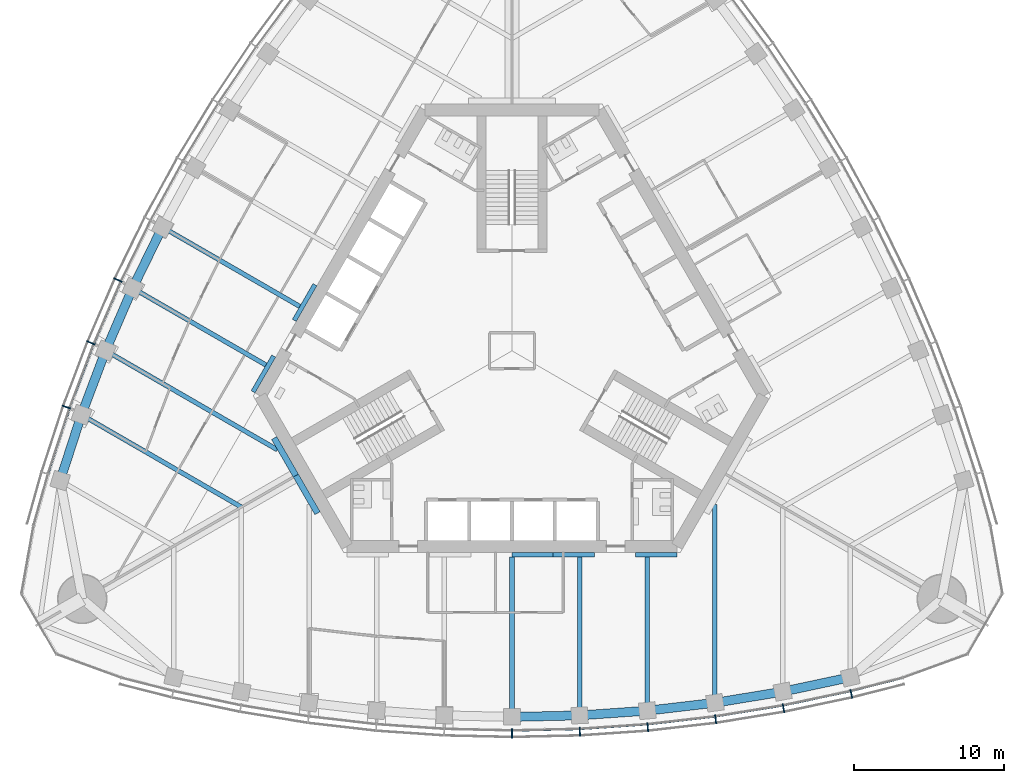
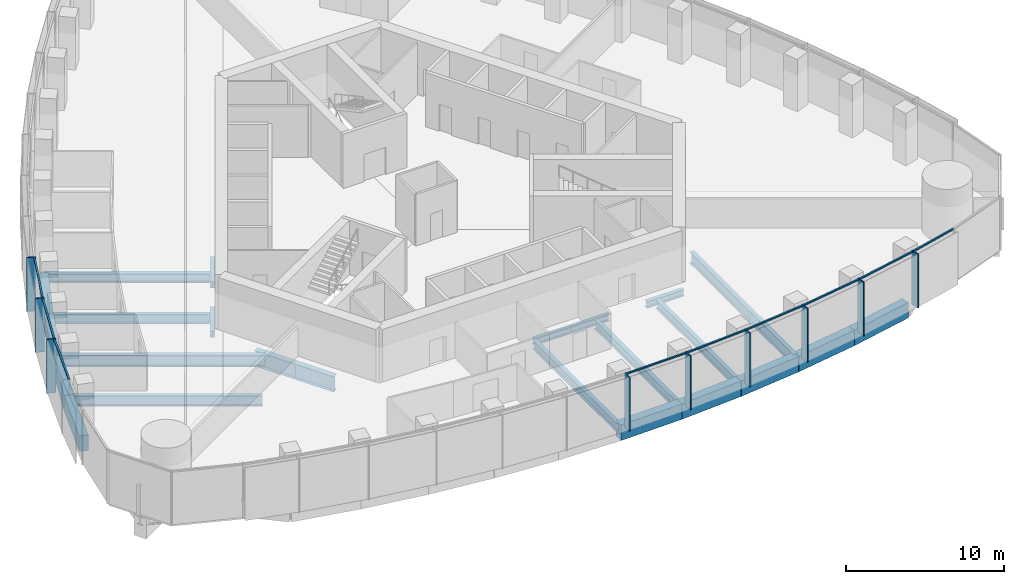
# One storey, part 3 of 19: 24 beams, 18 members, 2 elements without a shape of their own.
"""IFC4 building model written with IfcOpenShell, lengths in metres."""

from ifc_helpers import new_model, si_unit, direction, frame, origin, origin_2d, place, context, subcontext, project, spatial, rectangle, i_section, extrude, material, material_profile, profile_set, type_object, element, aggregate, save


model = new_model("IFC4")

# Units and contexts
model_context = context("Model", 3, precision=1e-05, world=origin(), true_north=direction((0.0, 1.0)))
body_context = subcontext(model_context, "Body", "Model", "MODEL_VIEW")
ifc_project = project(units=[si_unit("LENGTHUNIT", "METRE"), si_unit("AREAUNIT", "SQUARE_METRE"), si_unit("VOLUMEUNIT", "CUBIC_METRE"), si_unit("PLANEANGLEUNIT", "RADIAN"), si_unit("MASSUNIT", "GRAM", prefix="KILO")], contexts=[model_context])

# Site, building, storey
site_placement = place(None, origin())
site = spatial("IfcSite", under=ifc_project, at=site_placement, CompositionType="ELEMENT")
building_placement = place(site_placement, origin())
building = spatial("IfcBuilding", under=site, at=building_placement, Name="Trefoil Bronze Tower", CompositionType="ELEMENT")
storey_placement = place(building_placement, frame((0.0, 0.0, 206.5)))
storey = spatial("IfcBuildingStorey", under=building, at=storey_placement, Name="L47", CompositionType="ELEMENT", Elevation=206.5)

# Curtain wall, members
ifc_material_1 = material(Name="Tinted solar-control glass", Category="glass")
curtain_wall_type = type_object("IfcCurtainWallType", Name="Bronze office curtain wall", PredefinedType="USERDEFINED", material=ifc_material_1)
curtain_wall_1_placement = place(storey_placement, origin())
curtain_wall_1 = element("IfcCurtainWall", 1, at=curtain_wall_1_placement, inside=storey, type_object=curtain_wall_type, Name="CW-A L47 F1", ObjectType="CURTAIN WALL", PredefinedType="USERDEFINED")
ifc_material_2 = material(Name="Bronze-finish aluminium", Category="aluminium")
ifc_material_profile_1 = material_profile(ifc_material_2, rectangle(XDim=0.60009765625, YDim=0.080078125, at=origin_2d()), Name="CW-A mullion")
ifc_profile_set_1 = profile_set([ifc_material_profile_1], Name="Bronze-finish aluminium")
member_type_1 = type_object("IfcMemberType", Name="Bronze office curtain wall mullion", PredefinedType="MULLION", material=ifc_profile_set_1)
member_1_placement = place(storey_placement, frame((0.0, -25.45068359375, 0.0), z_axis=(0.0, 0.0, 1.0), x_axis=(0.0, 1.0, 0.0)))
member_1 = element("IfcMember", 2, at=member_1_placement, type_object=member_type_1, Name="CW-A L47 F1 mullion 7", PredefinedType="MULLION", context=body_context, shape_type="SweptSolid", body=[
    extrude(rectangle(XDim=0.60009765625, YDim=0.080078125, at=origin_2d()), origin(), (0.0, 0.0, 1.0), 4.179931640625),
])
member_2_placement = place(storey_placement, frame((4.513671875, -25.346923828125, 0.0), z_axis=(0.0, 0.0, 1.0), x_axis=(-0.045955542372, 0.998943485952, 0.0)))
member_2 = element("IfcMember", 3, at=member_2_placement, type_object=member_type_1, Name="CW-A L47 F1 mullion 8", PredefinedType="MULLION", context=body_context, shape_type="SweptSolid", body=[
    extrude(rectangle(XDim=0.60009765625, YDim=0.080078125, at=origin_2d()), origin(), (0.0, 0.0, 1.0), 4.179931640625),
])
member_3_placement = place(storey_placement, frame((9.027587890625, -25.03515625, 0.0), z_axis=(0.0, 0.0, 1.0), x_axis=(-0.091911396394, 0.995767189263, 0.0)))
member_3 = element("IfcMember", 4, at=member_3_placement, type_object=member_type_1, Name="CW-A L47 F1 mullion 9", PredefinedType="MULLION", context=body_context, shape_type="SweptSolid", body=[
    extrude(rectangle(XDim=0.60009765625, YDim=0.080078125, at=origin_2d()), origin(), (0.0, 0.0, 1.0), 4.179931640625),
])
member_4_placement = place(storey_placement, frame((13.541259765625, -24.51318359375, 0.0), z_axis=(0.0, 0.0, 1.0), x_axis=(-0.137867887204, 0.990450627582, 0.0)))
member_4 = element("IfcMember", 5, at=member_4_placement, type_object=member_type_1, Name="CW-A L47 F1 mullion 10", PredefinedType="MULLION", context=body_context, shape_type="SweptSolid", body=[
    extrude(rectangle(XDim=0.60009765625, YDim=0.080078125, at=origin_2d()), origin(), (0.0, 0.0, 1.0), 4.179931640625),
])
member_5_placement = place(storey_placement, frame((18.05517578125, -23.77783203125, 0.0), z_axis=(0.0, 0.0, 1.0), x_axis=(-0.183825368167, 0.982958917767, 0.0)))
member_5 = element("IfcMember", 6, at=member_5_placement, type_object=member_type_1, Name="CW-A L47 F1 mullion 11", PredefinedType="MULLION", context=body_context, shape_type="SweptSolid", body=[
    extrude(rectangle(XDim=0.60009765625, YDim=0.080078125, at=origin_2d()), origin(), (0.0, 0.0, 1.0), 4.179931640625),
])
member_6_placement = place(storey_placement, frame((22.568115234375, -22.82421875, 0.0), z_axis=(0.0, 0.0, 1.0), x_axis=(-0.227082662569, 0.973875487093, 0.0)))
member_6 = element("IfcMember", 7, at=member_6_placement, type_object=member_type_1, Name="CW-A L47 F1 mullion 12", PredefinedType="MULLION", context=body_context, shape_type="SweptSolid", body=[
    extrude(rectangle(XDim=0.60009765625, YDim=0.080078125, at=origin_2d()), origin(), (0.0, 0.0, 1.0), 4.179931640625),
])

curtain_wall_2_placement = place(storey_placement, origin())
curtain_wall_2 = element("IfcCurtainWall", 8, at=curtain_wall_2_placement, inside=storey, type_object=curtain_wall_type, Name="CW-A L47 F3", ObjectType="CURTAIN WALL", PredefinedType="USERDEFINED")
member_7_placement = place(storey_placement, frame((-26.19482421875, 4.699462890625, 0.0), z_axis=(0.0, 0.0, 1.0), x_axis=(0.908315380354, -0.418285990457, 0.0)))
member_7 = element("IfcMember", 9, at=member_7_placement, type_object=member_type_1, Name="CW-A L47 F3 mullion 9", PredefinedType="MULLION", context=body_context, shape_type="SweptSolid", body=[
    extrude(rectangle(XDim=0.60009765625, YDim=0.080078125, at=origin_2d()), origin(), (0.0, 0.0, 1.0), 4.179931640625),
])
member_8_placement = place(storey_placement, frame((-27.999755859375, 0.529541015625, 0.0), z_axis=(0.0, 0.0, 1.0), x_axis=(0.926689348282, -0.375828221106, 0.0)))
member_8 = element("IfcMember", 10, at=member_8_placement, type_object=member_type_1, Name="CW-A L47 F3 mullion 10", PredefinedType="MULLION", context=body_context, shape_type="SweptSolid", body=[
    extrude(rectangle(XDim=0.60009765625, YDim=0.080078125, at=origin_2d()), origin(), (0.0, 0.0, 1.0), 4.179931640625),
])
member_9_placement = place(storey_placement, frame((-29.619873046875, -3.747314453125, 0.0), z_axis=(0.0, 0.0, 1.0), x_axis=(0.943180077746, -0.332282020191, 0.0)))
member_9 = element("IfcMember", 11, at=member_9_placement, type_object=member_type_1, Name="CW-A L47 F3 mullion 11", PredefinedType="MULLION", context=body_context, shape_type="SweptSolid", body=[
    extrude(rectangle(XDim=0.60009765625, YDim=0.080078125, at=origin_2d()), origin(), (0.0, 0.0, 1.0), 4.179931640625),
])

# Member
ifc_material_3 = material(Name="Bronze-finish aluminium", Category="aluminium")
ifc_material_profile_2 = material_profile(ifc_material_3, rectangle(XDim=0.1201171875, YDim=0.10009765625, at=origin_2d()), Name="CW-A transom")
ifc_profile_set_2 = profile_set([ifc_material_profile_2], Name="Bronze-finish aluminium")
member_type_2 = type_object("IfcMemberType", Name="Bronze office curtain wall transom", PredefinedType="USERDEFINED", material=ifc_profile_set_2)
member_10_placement = place(storey_placement, frame((0.042236328125, -25.249755859375, 4.1298828125), z_axis=(0.999736131416, 0.022971015226, 0.0), x_axis=(-0.022971015226, 0.999736131416, 0.0)))
member_10 = element("IfcMember", 12, at=member_10_placement, type_object=member_type_2, Name="CW-A L47 F1 transom 7", ObjectType="TRANSOM", PredefinedType="USERDEFINED", context=body_context, shape_type="SweptSolid", body=[
    extrude(rectangle(XDim=0.1201171875, YDim=0.10009765625, at=origin_2d()), origin(), (0.0, 0.0, 1.0), 4.42138671875),
])

member_11_placement = place(storey_placement, frame((4.546875, -25.144287109375, 4.1298828125), z_axis=(0.997621320987, 0.06893257512, 0.0), x_axis=(-0.06893257512, 0.997621320987, 0.0)))
member_11 = element("IfcMember", 13, at=member_11_placement, type_object=member_type_2, Name="CW-A L47 F1 transom 8", ObjectType="TRANSOM", PredefinedType="USERDEFINED", context=body_context, shape_type="SweptSolid", body=[
    extrude(rectangle(XDim=0.1201171875, YDim=0.10009765625, at=origin_2d()), origin(), (0.0, 0.0, 1.0), 4.4306640625),
])

member_12_placement = place(storey_placement, frame((9.05126953125, -24.8310546875, 4.1298828125), z_axis=(0.993384885596, 0.114832352013, 0.0), x_axis=(-0.114832352013, 0.993384885596, 0.0)))
member_12 = element("IfcMember", 14, at=member_12_placement, type_object=member_type_2, Name="CW-A L47 F1 transom 9", ObjectType="TRANSOM", PredefinedType="USERDEFINED", context=body_context, shape_type="SweptSolid", body=[
    extrude(rectangle(XDim=0.1201171875, YDim=0.10009765625, at=origin_2d()), origin(), (0.0, 0.0, 1.0), 4.449951171875),
])

member_13_placement = place(storey_placement, frame((13.5556640625, -24.308349609375, 4.1298828125), z_axis=(0.986988367046, 0.160791676761, 0.0), x_axis=(-0.160791676761, 0.986988367046, 0.0)))
member_13 = element("IfcMember", 15, at=member_13_placement, type_object=member_type_2, Name="CW-A L47 F1 transom 10", ObjectType="TRANSOM", PredefinedType="USERDEFINED", context=body_context, shape_type="SweptSolid", body=[
    extrude(rectangle(XDim=0.1201171875, YDim=0.10009765625, at=origin_2d()), origin(), (0.0, 0.0, 1.0), 4.479248046875),
])

member_14_placement = place(storey_placement, frame((18.059814453125, -23.572509765625, 4.1298828125), z_axis=(0.978395325657, 0.20674280334, 0.0), x_axis=(-0.20674280334, 0.978395325657, 0.0)))
member_14 = element("IfcMember", 16, at=member_14_placement, type_object=member_type_2, Name="CW-A L47 F1 transom 11", ObjectType="TRANSOM", PredefinedType="USERDEFINED", context=body_context, shape_type="SweptSolid", body=[
    extrude(rectangle(XDim=0.1201171875, YDim=0.10009765625, at=origin_2d()), origin(), (0.0, 0.0, 1.0), 4.519287109375),
])

member_15_placement = place(storey_placement, frame((22.5634765625, -22.618896484375, 4.1298828125), z_axis=(0.968935220916, 0.247314653162, 0.0), x_axis=(-0.247314653162, 0.968935220916, 0.0)))
member_15 = element("IfcMember", 17, at=member_15_placement, type_object=member_type_2, Name="CW-A L47 F1 transom 12", ObjectType="TRANSOM", PredefinedType="USERDEFINED", context=body_context, shape_type="SweptSolid", body=[
    extrude(rectangle(XDim=0.1201171875, YDim=0.10009765625, at=origin_2d()), origin(), (0.0, 0.0, 1.0), 3.483642578125),
])

aggregate(curtain_wall_1, [member_1, member_2, member_3, member_4, member_5, member_6, member_10, member_11, member_12, member_13, member_14, member_15])

member_16_placement = place(storey_placement, frame((-26.030029296875, 4.576904296875, 4.1298828125), z_axis=(-0.397220936772, -0.917723012346, 0.0), x_axis=(0.917723012346, -0.397220936772, 0.0)))
member_16 = element("IfcMember", 18, at=member_16_placement, type_object=member_type_2, Name="CW-A L47 F3 transom 9", ObjectType="TRANSOM", PredefinedType="USERDEFINED", context=body_context, shape_type="SweptSolid", body=[
    extrude(rectangle(XDim=0.1201171875, YDim=0.10009765625, at=origin_2d()), origin(), (0.0, 0.0, 1.0), 4.449951171875),
])

member_17_placement = place(storey_placement, frame((-27.829345703125, 0.414794921875, 4.1298828125), z_axis=(-0.354263170896, -0.935145767112, 0.0), x_axis=(0.935145767112, -0.354263170896, 0.0)))
member_17 = element("IfcMember", 19, at=member_17_placement, type_object=member_type_2, Name="CW-A L47 F3 transom 10", ObjectType="TRANSOM", PredefinedType="USERDEFINED", context=body_context, shape_type="SweptSolid", body=[
    extrude(rectangle(XDim=0.1201171875, YDim=0.10009765625, at=origin_2d()), origin(), (0.0, 0.0, 1.0), 4.4794921875),
])

member_18_placement = place(storey_placement, frame((-29.4443359375, -3.85400390625, 4.1298828125), z_axis=(-0.310127806788, -0.950694874004, 0.0), x_axis=(0.950694874004, -0.310127806788, 0.0)))
member_18 = element("IfcMember", 20, at=member_18_placement, type_object=member_type_2, Name="CW-A L47 F3 transom 11", ObjectType="TRANSOM", PredefinedType="USERDEFINED", context=body_context, shape_type="SweptSolid", body=[
    extrude(rectangle(XDim=0.1201171875, YDim=0.10009765625, at=origin_2d()), origin(), (0.0, 0.0, 1.0), 4.51953125),
])

aggregate(curtain_wall_2, [member_7, member_8, member_9, member_16, member_17, member_18])

# Beams
ifc_material_4 = material(Name="Steel C355", Category="steel")
ifc_material_profile_3 = material_profile(ifc_material_4, i_section(OverallWidth=0.300048828125, OverallDepth=0.5, WebThickness=0.014404296875, FlangeThickness=0.028076171875, FilletRadius=0.027099609375, at=origin_2d()), Name="HEB 500")
ifc_profile_set_3 = profile_set([ifc_material_profile_3], Name="Steel C355")
beam_type_1 = type_object("IfcBeamType", Name="Core seat beam HEB 500", PredefinedType="BEAM", material=ifc_profile_set_3)
for number, where, z_axis, x_axis, name in (
    (21, (0.0, -13.550048828125, -0.449951171875), (1.0, 0.0, 0.0), (0.0, 1.0, 0.0), "Core seat beam F1/+0 L47"),
    (22, (2.742431640625, -13.550048828125, -0.449951171875), (1.0, 0.0, 0.0), (0.0, 1.0, 0.0), "Core seat beam F1/+1 L47"),
    (23, (8.227294921875, -13.550048828125, -0.449951171875), (1.0, 0.0, 0.0), (0.0, 1.0, 0.0), "Core seat beam F1/+2 L47"),
    (24, (-13.10595703125, 4.39990234375, -0.449951171875), (-0.499969057507, -0.866043267704, 0.0), (0.866043267704, -0.499969057507, 0.0), "Core seat beam F3/+1 L47"),
    (25, (-15.84814453125, -0.35009765625, -0.449951171875), (-0.500035825175, -0.866004719122, 0.0), (0.866004719122, -0.500035825175, 0.0), "Core seat beam F3/+2 L47"),
):
    element("IfcBeam", number, at=place(storey_placement, frame(where, z_axis=z_axis, x_axis=x_axis)), inside=storey, type_object=beam_type_1, Name=name, PredefinedType="BEAM", context=body_context, shape_type="SweptSolid", body=[
        extrude(i_section(OverallWidth=0.300048828125, OverallDepth=0.5, WebThickness=0.014404296875, FlangeThickness=0.028076171875, FilletRadius=0.027099609375, at=origin_2d()), origin(), (0.0, 0.0, 1.0), 2.742431640625),
    ])
ifc_material_5 = material(Name="Steel C355", Category="steel")
ifc_material_profile_4 = material_profile(ifc_material_5, i_section(OverallWidth=0.39990234375, OverallDepth=1.199951171875, WebThickness=0.02001953125, FlangeThickness=0.0400390625, FilletRadius=0.010009765625, at=origin_2d()), Name="WPG 1200")
ifc_profile_set_4 = profile_set([ifc_material_profile_4], Name="Steel C355")
beam_type_2 = type_object("IfcBeamType", Name="Core seat beam WPG 1200", PredefinedType="BEAM", material=ifc_profile_set_4)
for number, where, z_axis, x_axis, name in (
    (26, (-14.3759765625, -8.300048828125, -0.800048828125), (0.499995765644, -0.866027848477, 0.0), (0.866027848477, 0.499995765644, 0.0), "Core seat beam F1/-3 L47"),
    (27, (-15.8193359375, -5.800048828125, -0.800048828125), (0.499995765644, -0.866027848477, 0.0), (0.866027848477, 0.499995765644, 0.0), "Core seat beam F3/+3 L47"),
):
    element("IfcBeam", number, at=place(storey_placement, frame(where, z_axis=z_axis, x_axis=x_axis)), inside=storey, type_object=beam_type_2, Name=name, PredefinedType="BEAM", context=body_context, shape_type="SweptSolid", body=[
        extrude(i_section(OverallWidth=0.39990234375, OverallDepth=1.199951171875, WebThickness=0.02001953125, FlangeThickness=0.0400390625, FilletRadius=0.010009765625, at=origin_2d()), origin(), (0.0, 0.0, 1.0), 2.88671875),
    ])
ifc_material_6 = material(Name="Steel C355", Category="steel")
ifc_material_profile_5 = material_profile(ifc_material_6, i_section(OverallWidth=0.300048828125, OverallDepth=0.699951171875, WebThickness=0.01708984375, FlangeThickness=0.031982421875, FilletRadius=0.027099609375, at=origin_2d()), Name="HEB 700")
ifc_profile_set_5 = profile_set([ifc_material_profile_5], Name="Steel C355")
beam_type_3 = type_object("IfcBeamType", Name="Floor beam HEB 700", PredefinedType="BEAM", material=ifc_profile_set_5)
beam_1_placement = place(storey_placement, frame((0.0, -24.3505859375, -0.550048828125), z_axis=(0.0, 1.0, 0.0), x_axis=(-1.0, 0.0, 0.0)))
element("IfcBeam", 28, at=beam_1_placement, inside=storey, type_object=beam_type_3, Name="Floor beam F1/+0 L47", PredefinedType="BEAM", context=body_context, shape_type="SweptSolid", body=[
    extrude(i_section(OverallWidth=0.300048828125, OverallDepth=0.699951171875, WebThickness=0.01708984375, FlangeThickness=0.031982421875, FilletRadius=0.027099609375, at=origin_2d()), origin(), (0.0, 0.0, 1.0), 10.650634765625),
])
beam_2_placement = place(storey_placement, frame((4.5, -24.246337890625, -0.550048828125), z_axis=(0.0, 1.0, 0.0), x_axis=(-1.0, 0.0, 0.0)))
element("IfcBeam", 29, at=beam_2_placement, inside=storey, type_object=beam_type_3, Name="Floor beam F1/+1 L47", PredefinedType="BEAM", context=body_context, shape_type="SweptSolid", body=[
    extrude(i_section(OverallWidth=0.300048828125, OverallDepth=0.699951171875, WebThickness=0.01708984375, FlangeThickness=0.031982421875, FilletRadius=0.027099609375, at=origin_2d()), origin(), (0.0, 0.0, 1.0), 10.54638671875),
])
beam_3_placement = place(storey_placement, frame((9.0, -23.932861328125, -0.550048828125), z_axis=(0.0, 1.0, 0.0), x_axis=(-1.0, 0.0, 0.0)))
element("IfcBeam", 30, at=beam_3_placement, inside=storey, type_object=beam_type_3, Name="Floor beam F1/+2 L47", PredefinedType="BEAM", context=body_context, shape_type="SweptSolid", body=[
    extrude(i_section(OverallWidth=0.300048828125, OverallDepth=0.699951171875, WebThickness=0.01708984375, FlangeThickness=0.031982421875, FilletRadius=0.027099609375, at=origin_2d()), origin(), (0.0, 0.0, 1.0), 10.23291015625),
])
beam_4_placement = place(storey_placement, frame((-23.248046875, 8.22607421875, -0.550048828125), z_axis=(0.866027918957, -0.499995643569, 0.0), x_axis=(0.499995643569, 0.866027918957, 0.0)))
element("IfcBeam", 31, at=beam_4_placement, inside=storey, type_object=beam_type_3, Name="Floor beam F3/+1 L47", PredefinedType="BEAM", context=body_context, shape_type="SweptSolid", body=[
    extrude(i_section(OverallWidth=0.300048828125, OverallDepth=0.699951171875, WebThickness=0.01708984375, FlangeThickness=0.031982421875, FilletRadius=0.027099609375, at=origin_2d()), origin(), (0.0, 0.0, 1.0), 10.54638671875),
])
beam_5_placement = place(storey_placement, frame((-25.2265625, 4.17236328125, -0.550048828125), z_axis=(0.866017525653, -0.500013645076, 0.0), x_axis=(0.500013645076, 0.866017525653, 0.0)))
element("IfcBeam", 32, at=beam_5_placement, inside=storey, type_object=beam_type_3, Name="Floor beam F3/+2 L47", PredefinedType="BEAM", context=body_context, shape_type="SweptSolid", body=[
    extrude(i_section(OverallWidth=0.300048828125, OverallDepth=0.699951171875, WebThickness=0.01708984375, FlangeThickness=0.031982421875, FilletRadius=0.027099609375, at=origin_2d()), origin(), (0.0, 0.0, 1.0), 10.233154296875),
])
ifc_material_7 = material(Name="Steel C355", Category="steel")
ifc_material_profile_6 = material_profile(ifc_material_7, i_section(OverallWidth=0.300048828125, OverallDepth=0.800048828125, WebThickness=0.017578125, FlangeThickness=0.032958984375, FilletRadius=0.030029296875, at=origin_2d()), Name="HEB 800")
ifc_profile_set_6 = profile_set([ifc_material_profile_6], Name="Steel C355")
beam_type_4 = type_object("IfcBeamType", Name="Floor beam HEB 800", PredefinedType="BEAM", material=ifc_profile_set_6)
beam_6_placement = place(storey_placement, frame((-28.632080078125, -4.25390625, -0.60009765625), z_axis=(0.866025635187, -0.499999599199, 0.0), x_axis=(0.499999599199, 0.866025635187, 0.0)))
element("IfcBeam", 33, at=beam_6_placement, inside=storey, type_object=beam_type_4, Name="Floor beam F3/+4 L47", PredefinedType="BEAM", context=body_context, shape_type="SweptSolid", body=[
    extrude(i_section(OverallWidth=0.300048828125, OverallDepth=0.800048828125, WebThickness=0.017578125, FlangeThickness=0.032958984375, FilletRadius=0.030029296875, at=origin_2d()), origin(), (0.0, 0.0, 1.0), 12.27685546875),
])
ifc_material_8 = material(Name="Steel C355", Category="steel")
ifc_material_profile_7 = material_profile(ifc_material_8, i_section(OverallWidth=0.300048828125, OverallDepth=0.89990234375, WebThickness=0.0185546875, FlangeThickness=0.034912109375, FilletRadius=0.030029296875, at=origin_2d()), Name="HEB 900")
ifc_profile_set_7 = profile_set([ifc_material_profile_7], Name="Steel C355")
beam_type_5 = type_object("IfcBeamType", Name="Floor beam HEB 900", PredefinedType="BEAM", material=ifc_profile_set_7)
for number, where, z_axis, x_axis, name in (
    (34, (13.5, -23.408447265625, -0.64990234375), (0.0, 1.0, 0.0), (-1.0, 0.0, 0.0), "Floor beam F1/+3 L47"),
    (35, (-27.022216796875, 0.012939453125, -0.64990234375), (0.866020385251, -0.500008692254, 0.0), (0.500008692254, 0.866020385251, 0.0), "Floor beam F3/+3 L47"),
):
    element("IfcBeam", number, at=place(storey_placement, frame(where, z_axis=z_axis, x_axis=x_axis)), inside=storey, type_object=beam_type_5, Name=name, PredefinedType="BEAM", context=body_context, shape_type="SweptSolid", body=[
        extrude(i_section(OverallWidth=0.300048828125, OverallDepth=0.89990234375, WebThickness=0.0185546875, FlangeThickness=0.034912109375, FilletRadius=0.030029296875, at=origin_2d()), origin(), (0.0, 0.0, 1.0), 13.191162109375),
    ])
ifc_material_9 = material(Name="Concrete B80", Category="concrete")
ifc_material_profile_8 = material_profile(ifc_material_9, rectangle(XDim=0.60009765625, YDim=1.199951171875, at=origin_2d()), Name="RC 600x1200")
ifc_profile_set_8 = profile_set([ifc_material_profile_8], Name="Concrete B80")
beam_type_6 = type_object("IfcBeamType", Name="Spandrel beam RC 600x1200", PredefinedType="SPANDREL", material=ifc_profile_set_8)
beam_7_placement = place(storey_placement, frame((0.0, -24.3505859375, -0.800048828125), z_axis=(0.999731770792, 0.023160018779, 0.0), x_axis=(-0.023160018779, 0.999731770792, 0.0)))
element("IfcBeam", 36, at=beam_7_placement, inside=storey, type_object=beam_type_6, Name="Spandrel F1.7 L47", PredefinedType="SPANDREL", context=body_context, shape_type="SweptSolid", body=[
    extrude(rectangle(XDim=0.60009765625, YDim=1.199951171875, at=origin_2d()), origin(), (0.0, 0.0, 1.0), 4.501220703125),
])
beam_8_placement = place(storey_placement, frame((4.5, -24.246337890625, -0.800048828125), z_axis=(0.997582435881, 0.069493047291, 0.0), x_axis=(-0.069493047291, 0.997582435881, 0.0)))
element("IfcBeam", 37, at=beam_8_placement, inside=storey, type_object=beam_type_6, Name="Spandrel F1.8 L47", PredefinedType="SPANDREL", context=body_context, shape_type="SweptSolid", body=[
    extrude(rectangle(XDim=0.60009765625, YDim=1.199951171875, at=origin_2d()), origin(), (0.0, 0.0, 1.0), 4.510986328125),
])
beam_9_placement = place(storey_placement, frame((9.0, -23.932861328125, -0.800048828125), z_axis=(0.993278017132, 0.115753102257, 0.0), x_axis=(-0.115753102257, 0.993278017132, 0.0)))
element("IfcBeam", 38, at=beam_9_placement, inside=storey, type_object=beam_type_6, Name="Spandrel F1.9 L47", PredefinedType="SPANDREL", context=body_context, shape_type="SweptSolid", body=[
    extrude(rectangle(XDim=0.60009765625, YDim=1.199951171875, at=origin_2d()), origin(), (0.0, 0.0, 1.0), 4.530517578125),
])
beam_10_placement = place(storey_placement, frame((13.5, -23.408447265625, -0.800048828125), z_axis=(0.986764681833, 0.162158757664, 0.0), x_axis=(-0.162158757664, 0.986764681833, 0.0)))
element("IfcBeam", 39, at=beam_10_placement, inside=storey, type_object=beam_type_6, Name="Spandrel F1.10 L47", PredefinedType="SPANDREL", context=body_context, shape_type="SweptSolid", body=[
    extrude(rectangle(XDim=0.60009765625, YDim=1.199951171875, at=origin_2d()), origin(), (0.0, 0.0, 1.0), 4.560302734375),
])
beam_11_placement = place(storey_placement, frame((18.0, -22.6689453125, -0.800048828125), z_axis=(0.978059483036, 0.208325820877, 0.0), x_axis=(-0.208325820877, 0.978059483036, 0.0)))
element("IfcBeam", 40, at=beam_11_placement, inside=storey, type_object=beam_type_6, Name="Spandrel F1.11 L47", PredefinedType="SPANDREL", context=body_context, shape_type="SweptSolid", body=[
    extrude(rectangle(XDim=0.60009765625, YDim=1.199951171875, at=origin_2d()), origin(), (0.0, 0.0, 1.0), 4.600830078125),
])
beam_12_placement = place(storey_placement, frame((-23.248046875, 8.22607421875, -0.800048828125), z_axis=(-0.438619830351, -0.898672712629, 0.0), x_axis=(0.898672712629, -0.438619830351, 0.0)))
element("IfcBeam", 41, at=beam_12_placement, inside=storey, type_object=beam_type_6, Name="Spandrel F3.8 L47", PredefinedType="SPANDREL", context=body_context, shape_type="SweptSolid", body=[
    extrude(rectangle(XDim=0.60009765625, YDim=1.199951171875, at=origin_2d()), origin(), (0.0, 0.0, 1.0), 4.5107421875),
])
beam_13_placement = place(storey_placement, frame((-25.2265625, 4.17236328125, -0.800048828125), z_axis=(-0.396350337164, -0.918099346602, 0.0), x_axis=(0.918099346602, -0.396350337164, 0.0)))
element("IfcBeam", 42, at=beam_13_placement, inside=storey, type_object=beam_type_6, Name="Spandrel F3.9 L47", PredefinedType="SPANDREL", context=body_context, shape_type="SweptSolid", body=[
    extrude(rectangle(XDim=0.60009765625, YDim=1.199951171875, at=origin_2d()), origin(), (0.0, 0.0, 1.0), 4.530517578125),
])
beam_14_placement = place(storey_placement, frame((-27.022216796875, 0.012939453125, -0.800048828125), z_axis=(-0.353005969632, -0.935621069346, 0.0), x_axis=(0.935621069346, -0.353005969632, 0.0)))
element("IfcBeam", 43, at=beam_14_placement, inside=storey, type_object=beam_type_6, Name="Spandrel F3.10 L47", PredefinedType="SPANDREL", context=body_context, shape_type="SweptSolid", body=[
    extrude(rectangle(XDim=0.60009765625, YDim=1.199951171875, at=origin_2d()), origin(), (0.0, 0.0, 1.0), 4.560546875),
])
beam_15_placement = place(storey_placement, frame((-28.632080078125, -4.25390625, -0.800048828125), z_axis=(-0.308608505504, -0.951189145402, 0.0), x_axis=(0.951189145402, -0.308608505504, 0.0)))
element("IfcBeam", 44, at=beam_15_placement, inside=storey, type_object=beam_type_6, Name="Spandrel F3.11 L47", PredefinedType="SPANDREL", context=body_context, shape_type="SweptSolid", body=[
    extrude(rectangle(XDim=0.60009765625, YDim=1.199951171875, at=origin_2d()), origin(), (0.0, 0.0, 1.0), 4.60107421875),
])

save(model, "model.ifc")
